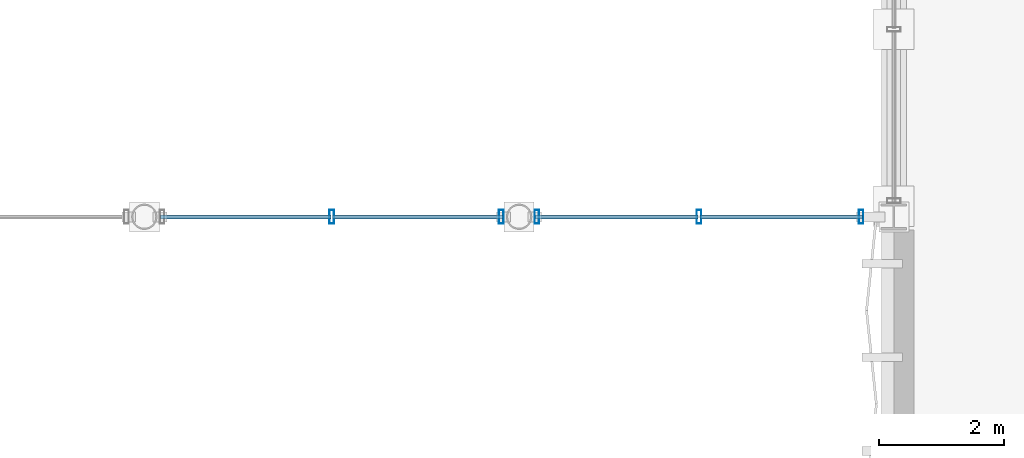
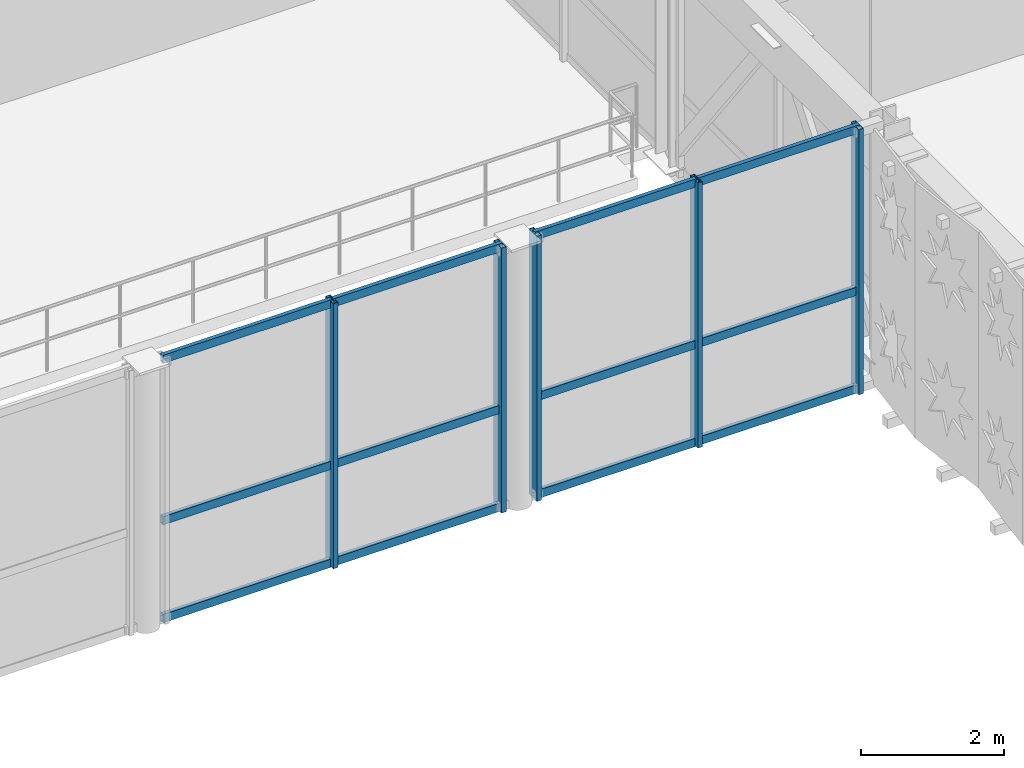
# One storey, part 19 of 116: 17 members, 2 elements without a shape of their own.
"""IFC4 building model written with IfcOpenShell, lengths in metres."""

from ifc_helpers import new_model, si_unit, direction, frame, origin, origin_2d, place, context, subcontext, project, spatial, hollow_rectangle, extrude, material, material_profile, profile_set, type_object, element, aggregate, save


model = new_model("IFC4")

# Units and contexts
model_context = context("Model", 3, precision=1e-05, world=origin(), true_north=direction((0.0, 1.0)))
body_context = subcontext(model_context, "Body", "Model", "MODEL_VIEW")
ifc_project = project(units=[si_unit("LENGTHUNIT", "METRE"), si_unit("AREAUNIT", "SQUARE_METRE"), si_unit("VOLUMEUNIT", "CUBIC_METRE"), si_unit("PLANEANGLEUNIT", "RADIAN"), si_unit("MASSUNIT", "GRAM", prefix="KILO"), si_unit("THERMODYNAMICTEMPERATUREUNIT", "KELVIN"), si_unit("POWERUNIT", "WATT")], contexts=[model_context])

# Site, building, storey
site_placement = place(None, origin())
site = spatial("IfcSite", under=ifc_project, at=site_placement, CompositionType="ELEMENT")
building_placement = place(site_placement, origin())
building = spatial("IfcBuilding", under=site, at=building_placement, Name="Phaisarnlok Congress Hotel", CompositionType="ELEMENT")
storey_placement = place(building_placement, frame((0.0, 0.0, 10.5)))
storey = spatial("IfcBuildingStorey", under=building, at=storey_placement, Name="L02", CompositionType="ELEMENT", Elevation=10.5)

# Curtain wall, members
ifc_material_1 = material(Name="Thermally Broken Unitised Aluminium & Low-E Glazing", Category="aluminium")
curtain_wall_type_1 = type_object("IfcCurtainWallType", Name="CW-UNIT-44", PredefinedType="NOTDEFINED", material=ifc_material_1)
curtain_wall_1_placement = place(storey_placement, origin())
curtain_wall_1 = element("IfcCurtainWall", 1, at=curtain_wall_1_placement, inside=storey, type_object=curtain_wall_type_1, Name="Unitised curtain wall CW-44 (L02)", PredefinedType="NOTDEFINED")
ifc_material_2 = material(Name="Anodised Aluminium Alloy 6063-T6", Category="aluminium")
ifc_material_profile_1 = material_profile(ifc_material_2, hollow_rectangle(XDim=0.074951171875, YDim=0.219970703125, WallThickness=0.0048828125, at=origin_2d()), Name="ALU-M 75x220x5")
ifc_profile_set_1 = profile_set([ifc_material_profile_1], Name="Anodised Aluminium Alloy 6063-T6")
member_type_1 = type_object("IfcMemberType", Name="CWM-220", PredefinedType="MULLION", material=ifc_profile_set_1)
member_1_placement = place(storey_placement, frame((87.0, 18.0, -0.010009765625), z_axis=(0.0, 0.0, 1.0), x_axis=(1.0, 0.0, 0.0)))
member_1 = element("IfcMember", 2, at=member_1_placement, type_object=member_type_1, Name="Curtain wall mullion CWM-02", PredefinedType="MULLION", context=body_context, shape_type="SweptSolid", body=[
    extrude(hollow_rectangle(XDim=0.074951171875, YDim=0.219970703125, WallThickness=0.0048828125, at=origin_2d()), origin(), (0.0, 0.0, 1.0), 4.52001953125),
])
member_2_placement = place(storey_placement, frame((89.715087890625, 18.0, -0.010009765625), z_axis=(0.0, 0.0, 1.0), x_axis=(1.0, 0.0, 0.0)))
member_2 = element("IfcMember", 3, at=member_2_placement, type_object=member_type_1, Name="Curtain wall mullion CWM-02", PredefinedType="MULLION", context=body_context, shape_type="SweptSolid", body=[
    extrude(hollow_rectangle(XDim=0.074951171875, YDim=0.219970703125, WallThickness=0.0048828125, at=origin_2d()), origin(), (0.0, 0.0, 1.0), 4.52001953125),
])

curtain_wall_type_2 = type_object("IfcCurtainWallType", Name="CW-UNIT-41", PredefinedType="NOTDEFINED", material=ifc_material_1)
curtain_wall_2_placement = place(storey_placement, origin())
curtain_wall_2 = element("IfcCurtainWall", 4, at=curtain_wall_2_placement, inside=storey, type_object=curtain_wall_type_2, Name="Unitised curtain wall CW-41 (L02)", PredefinedType="NOTDEFINED")
member_3_placement = place(storey_placement, frame((90.284912109375, 18.0, -0.010009765625), z_axis=(0.0, 0.0, 1.0), x_axis=(1.0, 0.0, 0.0)))
member_3 = element("IfcMember", 5, at=member_3_placement, type_object=member_type_1, Name="Curtain wall mullion CWM-02", PredefinedType="MULLION", context=body_context, shape_type="SweptSolid", body=[
    extrude(hollow_rectangle(XDim=0.074951171875, YDim=0.219970703125, WallThickness=0.0048828125, at=origin_2d()), origin(), (0.0, 0.0, 1.0), 4.52001953125),
])
member_4_placement = place(storey_placement, frame((92.8798828125, 18.0, -0.010009765625), z_axis=(0.0, 0.0, 1.0), x_axis=(1.0, 0.0, 0.0)))
member_4 = element("IfcMember", 6, at=member_4_placement, type_object=member_type_1, Name="Curtain wall mullion CWM-02", PredefinedType="MULLION", context=body_context, shape_type="SweptSolid", body=[
    extrude(hollow_rectangle(XDim=0.074951171875, YDim=0.219970703125, WallThickness=0.0048828125, at=origin_2d()), origin(), (0.0, 0.0, 1.0), 4.52001953125),
])
member_5_placement = place(storey_placement, frame((95.47509765625, 18.0, -0.010009765625), z_axis=(0.0, 0.0, 1.0), x_axis=(1.0, 0.0, 0.0)))
member_5 = element("IfcMember", 7, at=member_5_placement, type_object=member_type_1, Name="Curtain wall mullion CWM-02", PredefinedType="MULLION", context=body_context, shape_type="SweptSolid", body=[
    extrude(hollow_rectangle(XDim=0.074951171875, YDim=0.219970703125, WallThickness=0.0048828125, at=origin_2d()), origin(), (0.0, 0.0, 1.0), 4.52001953125),
])

# Member
ifc_material_profile_2 = material_profile(ifc_material_2, hollow_rectangle(XDim=0.06494140625, YDim=0.139892578125, WallThickness=0.00390625, at=origin_2d()), Name="ALU-T 65x140x4")
ifc_profile_set_2 = profile_set([ifc_material_profile_2], Name="Anodised Aluminium Alloy 6063-T6")
member_type_2 = type_object("IfcMemberType", Name="CWT-150", PredefinedType="USERDEFINED", material=ifc_profile_set_2)
member_6_placement = place(storey_placement, frame((84.260009765625, 18.0, 0.0400390625), z_axis=(1.0, 0.0, 0.0), x_axis=(0.0, 1.0, 0.0)))
member_6 = element("IfcMember", 8, at=member_6_placement, type_object=member_type_2, Name="Curtain wall transom CWT-01", ObjectType="TRANSOM", PredefinedType="USERDEFINED", context=body_context, shape_type="SweptSolid", body=[
    extrude(hollow_rectangle(XDim=0.06494140625, YDim=0.139892578125, WallThickness=0.00390625, at=origin_2d()), origin(), (0.0, 0.0, 1.0), 2.72509765625),
])

member_7_placement = place(storey_placement, frame((84.260009765625, 18.0, 1.70751953125), z_axis=(1.0, 0.0, 0.0), x_axis=(0.0, 1.0, 0.0)))
member_7 = element("IfcMember", 9, at=member_7_placement, type_object=member_type_2, Name="Curtain wall transom CWT-01", ObjectType="TRANSOM", PredefinedType="USERDEFINED", context=body_context, shape_type="SweptSolid", body=[
    extrude(hollow_rectangle(XDim=0.06494140625, YDim=0.139892578125, WallThickness=0.00390625, at=origin_2d()), origin(), (0.0, 0.0, 1.0), 2.72509765625),
])

member_8_placement = place(storey_placement, frame((84.260009765625, 18.0, 4.4599609375), z_axis=(1.0, 0.0, 0.0), x_axis=(0.0, 1.0, 0.0)))
member_8 = element("IfcMember", 10, at=member_8_placement, type_object=member_type_2, Name="Curtain wall transom CWT-01", ObjectType="TRANSOM", PredefinedType="USERDEFINED", context=body_context, shape_type="SweptSolid", body=[
    extrude(hollow_rectangle(XDim=0.06494140625, YDim=0.139892578125, WallThickness=0.00390625, at=origin_2d()), origin(), (0.0, 0.0, 1.0), 2.72509765625),
])

member_9_placement = place(storey_placement, frame((87.014892578125, 18.0, 0.0400390625), z_axis=(1.0, 0.0, 0.0), x_axis=(0.0, 1.0, 0.0)))
member_9 = element("IfcMember", 11, at=member_9_placement, type_object=member_type_2, Name="Curtain wall transom CWT-01", ObjectType="TRANSOM", PredefinedType="USERDEFINED", context=body_context, shape_type="SweptSolid", body=[
    extrude(hollow_rectangle(XDim=0.06494140625, YDim=0.139892578125, WallThickness=0.00390625, at=origin_2d()), origin(), (0.0, 0.0, 1.0), 2.72509765625),
])

member_10_placement = place(storey_placement, frame((87.014892578125, 18.0, 1.70751953125), z_axis=(1.0, 0.0, 0.0), x_axis=(0.0, 1.0, 0.0)))
member_10 = element("IfcMember", 12, at=member_10_placement, type_object=member_type_2, Name="Curtain wall transom CWT-01", ObjectType="TRANSOM", PredefinedType="USERDEFINED", context=body_context, shape_type="SweptSolid", body=[
    extrude(hollow_rectangle(XDim=0.06494140625, YDim=0.139892578125, WallThickness=0.00390625, at=origin_2d()), origin(), (0.0, 0.0, 1.0), 2.72509765625),
])

member_11_placement = place(storey_placement, frame((87.014892578125, 18.0, 4.4599609375), z_axis=(1.0, 0.0, 0.0), x_axis=(0.0, 1.0, 0.0)))
member_11 = element("IfcMember", 13, at=member_11_placement, type_object=member_type_2, Name="Curtain wall transom CWT-01", ObjectType="TRANSOM", PredefinedType="USERDEFINED", context=body_context, shape_type="SweptSolid", body=[
    extrude(hollow_rectangle(XDim=0.06494140625, YDim=0.139892578125, WallThickness=0.00390625, at=origin_2d()), origin(), (0.0, 0.0, 1.0), 2.72509765625),
])

aggregate(curtain_wall_1, [member_1, member_2, member_6, member_7, member_8, member_9, member_10, member_11])

member_12_placement = place(storey_placement, frame((90.260009765625, 18.0, 0.0400390625), z_axis=(1.0, 0.0, 0.0), x_axis=(0.0, 1.0, 0.0)))
member_12 = element("IfcMember", 14, at=member_12_placement, type_object=member_type_2, Name="Curtain wall transom CWT-01", ObjectType="TRANSOM", PredefinedType="USERDEFINED", context=body_context, shape_type="SweptSolid", body=[
    extrude(hollow_rectangle(XDim=0.06494140625, YDim=0.139892578125, WallThickness=0.00390625, at=origin_2d()), origin(), (0.0, 0.0, 1.0), 2.60498046875),
])

member_13_placement = place(storey_placement, frame((90.260009765625, 18.0, 1.70751953125), z_axis=(1.0, 0.0, 0.0), x_axis=(0.0, 1.0, 0.0)))
member_13 = element("IfcMember", 15, at=member_13_placement, type_object=member_type_2, Name="Curtain wall transom CWT-01", ObjectType="TRANSOM", PredefinedType="USERDEFINED", context=body_context, shape_type="SweptSolid", body=[
    extrude(hollow_rectangle(XDim=0.06494140625, YDim=0.139892578125, WallThickness=0.00390625, at=origin_2d()), origin(), (0.0, 0.0, 1.0), 2.60498046875),
])

member_14_placement = place(storey_placement, frame((90.260009765625, 18.0, 4.4599609375), z_axis=(1.0, 0.0, 0.0), x_axis=(0.0, 1.0, 0.0)))
member_14 = element("IfcMember", 16, at=member_14_placement, type_object=member_type_2, Name="Curtain wall transom CWT-01", ObjectType="TRANSOM", PredefinedType="USERDEFINED", context=body_context, shape_type="SweptSolid", body=[
    extrude(hollow_rectangle(XDim=0.06494140625, YDim=0.139892578125, WallThickness=0.00390625, at=origin_2d()), origin(), (0.0, 0.0, 1.0), 2.60498046875),
])

member_15_placement = place(storey_placement, frame((92.89501953125, 18.0, 0.0400390625), z_axis=(1.0, 0.0, 0.0), x_axis=(0.0, 1.0, 0.0)))
member_15 = element("IfcMember", 17, at=member_15_placement, type_object=member_type_2, Name="Curtain wall transom CWT-01", ObjectType="TRANSOM", PredefinedType="USERDEFINED", context=body_context, shape_type="SweptSolid", body=[
    extrude(hollow_rectangle(XDim=0.06494140625, YDim=0.139892578125, WallThickness=0.00390625, at=origin_2d()), origin(), (0.0, 0.0, 1.0), 2.60498046875),
])

member_16_placement = place(storey_placement, frame((92.89501953125, 18.0, 1.70751953125), z_axis=(1.0, 0.0, 0.0), x_axis=(0.0, 1.0, 0.0)))
member_16 = element("IfcMember", 18, at=member_16_placement, type_object=member_type_2, Name="Curtain wall transom CWT-01", ObjectType="TRANSOM", PredefinedType="USERDEFINED", context=body_context, shape_type="SweptSolid", body=[
    extrude(hollow_rectangle(XDim=0.06494140625, YDim=0.139892578125, WallThickness=0.00390625, at=origin_2d()), origin(), (0.0, 0.0, 1.0), 2.60498046875),
])

member_17_placement = place(storey_placement, frame((92.89501953125, 18.0, 4.4599609375), z_axis=(1.0, 0.0, 0.0), x_axis=(0.0, 1.0, 0.0)))
member_17 = element("IfcMember", 19, at=member_17_placement, type_object=member_type_2, Name="Curtain wall transom CWT-01", ObjectType="TRANSOM", PredefinedType="USERDEFINED", context=body_context, shape_type="SweptSolid", body=[
    extrude(hollow_rectangle(XDim=0.06494140625, YDim=0.139892578125, WallThickness=0.00390625, at=origin_2d()), origin(), (0.0, 0.0, 1.0), 2.60498046875),
])

aggregate(curtain_wall_2, [member_3, member_4, member_5, member_12, member_13, member_14, member_15, member_16, member_17])

save(model, "model.ifc")
